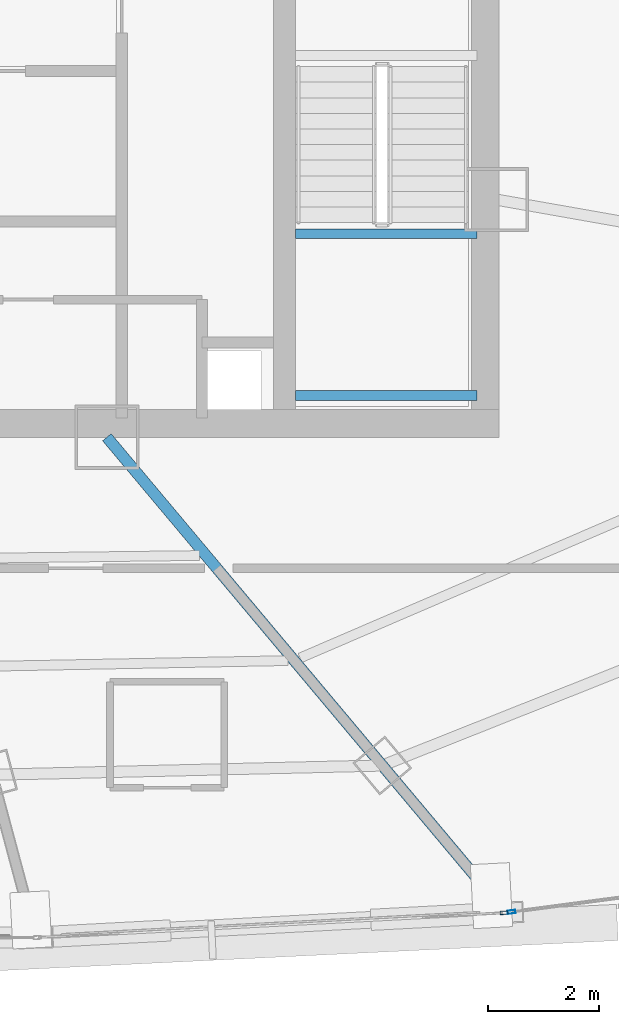
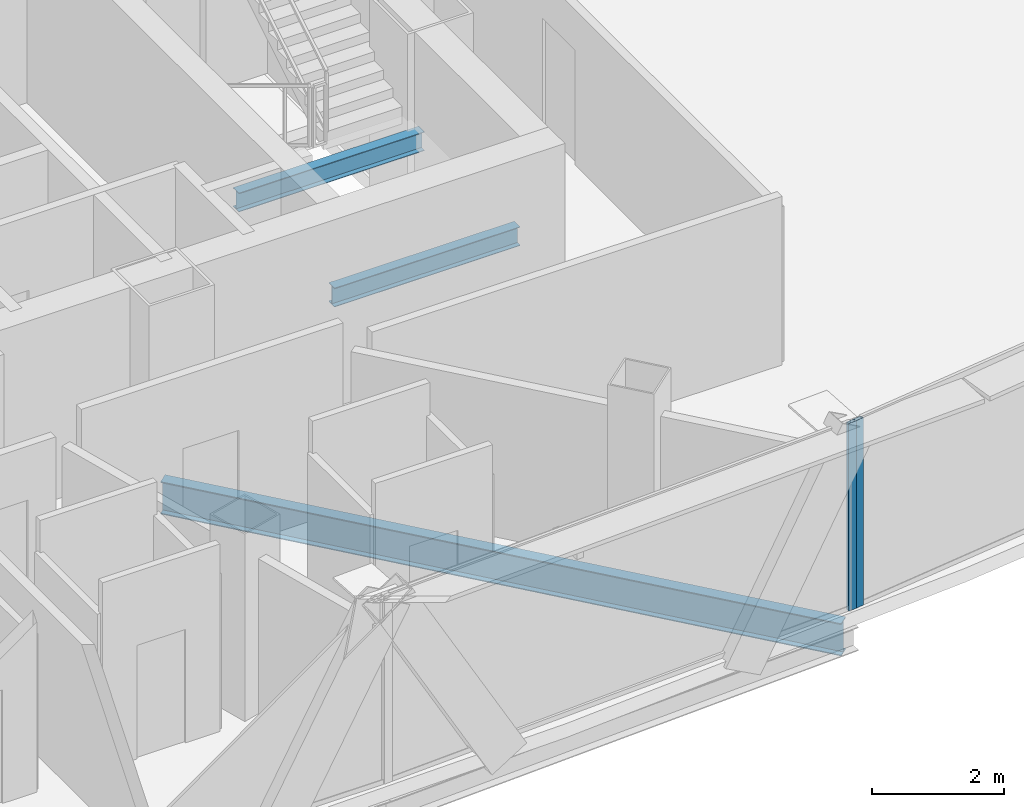
# One storey, part 13 of 39: 3 beams, 2 members, 2 elements without a shape of their own.
"""IFC4 building model written with IfcOpenShell, lengths in metres."""

import ifcopenshell
import ifcopenshell.guid

model = None  # the IFC model being written
_history = None  # IfcOwnerHistory: only IFC2X3 demands one
_inside = {}  # id of a spatial element -> (the spatial element, [elements in it])
_under = {}  # id of a project, library or spatial element -> (it, [spatial elements below it])
_declared = {}  # id of a project -> (the project, [libraries it declares])
_typed = {}  # id of a type object -> (the type object, [elements of that type])
_made_of = {}  # id of a material, layer set ... -> (it, [elements and type objects made of it])


def new_model(schema):
    """Start an empty IFC model of exactly this schema.

    Asked for "IFC4X3", IfcOpenShell would pick the latest addendum, in which some entities
    have other attributes; the version numbers below select the first issue.
    IFC2X3 requires an IfcOwnerHistory on every rooted entity: one is made here for all.
    """
    global model, _history
    if schema == "IFC4X3":
        model = ifcopenshell.file(schema_version=(4, 3, 0, 0))
    else:
        model = ifcopenshell.file(schema=schema)
    _inside.clear()
    _under.clear()
    _declared.clear()
    _typed.clear()
    _made_of.clear()
    _history = None
    if model.schema == "IFC2X3":
        org = make("IfcOrganization", Name="unknown")
        user = make(
            "IfcPersonAndOrganization",
            ThePerson=make("IfcPerson", FamilyName="unknown"),
            TheOrganization=org,
        )
        app = make(
            "IfcApplication",
            ApplicationDeveloper=org,
            Version="unknown",
            ApplicationFullName="unknown",
            ApplicationIdentifier="unknown",
        )
        _history = make(
            "IfcOwnerHistory",
            OwningUser=user,
            OwningApplication=app,
            ChangeAction="ADDED",
            CreationDate=0,
        )
    return model


def make(cls, **values):
    """One entity of the class cls with the attributes given. An attribute that is None is left unset."""
    return model.create_entity(
        cls, **{name: value for name, value in values.items() if value is not None}
    )


def rooted(cls, **values):
    """An entity with a GlobalId (a new one), such as an element, a storey or a relation."""
    return make(cls, GlobalId=ifcopenshell.guid.new(), OwnerHistory=_history, **values)


def si_unit(unit_type, name, prefix=None):
    """IfcSIUnit, for example si_unit("LENGTHUNIT", "METRE", prefix="MILLI")."""
    return make("IfcSIUnit", UnitType=unit_type, Prefix=prefix, Name=name)


def assignment(units):
    """IfcUnitAssignment: the units of a project."""
    return None if units is None else make("IfcUnitAssignment", Units=units)


def point(xyz):
    """IfcCartesianPoint."""
    return None if xyz is None else make("IfcCartesianPoint", Coordinates=xyz)


def direction(xyz):
    """IfcDirection."""
    return None if xyz is None else make("IfcDirection", DirectionRatios=xyz)


def frame(location, z_axis=None, x_axis=None):
    """IfcAxis2Placement3D, a coordinate frame: its origin and axes. An axis left out is left unset."""
    return make(
        "IfcAxis2Placement3D",
        Location=point(location),
        Axis=direction(z_axis),
        RefDirection=direction(x_axis),
    )


def frame_2d(location, x_axis=None):
    """IfcAxis2Placement2D, a coordinate frame in the plane: its origin and x axis."""
    return make(
        "IfcAxis2Placement2D", Location=point(location), RefDirection=direction(x_axis)
    )


def origin():
    """The frame at (0, 0, 0) with its axes left unset."""
    return frame((0.0, 0.0, 0.0))


def origin_2d():
    """The frame at (0, 0) in the plane with its x axis left unset."""
    return frame_2d((0.0, 0.0))


def place(relative_to, where):
    """IfcLocalPlacement: puts the frame where relative to a parent placement (None: the world)."""
    return make(
        "IfcLocalPlacement", PlacementRelTo=relative_to, RelativePlacement=where
    )


def context(
    kind, dimensions, precision=None, world=None, true_north=None, identifier=None
):
    """IfcGeometricRepresentationContext, for example the 3D "Model" context."""
    return make(
        "IfcGeometricRepresentationContext",
        ContextIdentifier=identifier,
        ContextType=kind,
        CoordinateSpaceDimension=dimensions,
        Precision=precision,
        WorldCoordinateSystem=world,
        TrueNorth=true_north,
    )


def subcontext(parent, identifier, kind, view, scale=None):
    """IfcGeometricRepresentationSubContext, for example "Body" below "Model"."""
    return make(
        "IfcGeometricRepresentationSubContext",
        ContextIdentifier=identifier,
        ContextType=kind,
        ParentContext=parent,
        TargetScale=scale,
        TargetView=view,
    )


def project(units=None, contexts=None):
    """IfcProject with its units and contexts."""
    return rooted(
        "IfcProject",
        Name="project",
        RepresentationContexts=contexts,
        UnitsInContext=assignment(units),
    )


def spatial(cls, under=None, at=None, **own):
    """A site, building, storey or space (cls), placed at a placement, below another one or the project."""
    s = rooted(cls, ObjectPlacement=at, **own)
    if under is not None:
        _under.setdefault(under.id(), (under, []))[1].append(s)
    return s


def profile(cls, at=None, kind="AREA", **sizes):
    """A parametric profile (cls). Its sizes go by their IFC names, for example OverallWidth=200.0."""
    return make(cls, ProfileType=kind, Position=at, **sizes)


def hollow_rectangle(**sizes):
    """IfcRectangleHollowProfileDef."""
    return profile("IfcRectangleHollowProfileDef", **sizes)


def i_section(**sizes):
    """IfcIShapeProfileDef."""
    return profile("IfcIShapeProfileDef", **sizes)


def extrude(swept, where, along, depth):
    """IfcExtrudedAreaSolid: the profile swept, set in the frame where, extruded along a direction by depth."""
    return make(
        "IfcExtrudedAreaSolid",
        SweptArea=swept,
        Position=where,
        ExtrudedDirection=direction(along),
        Depth=depth,
    )


def shape(context_of_items, identifier, shape_type, items):
    """IfcShapeRepresentation: the items that make up one representation, for example the "Body"."""
    return make(
        "IfcShapeRepresentation",
        ContextOfItems=context_of_items,
        RepresentationIdentifier=identifier,
        RepresentationType=shape_type,
        Items=items,
    )


def source(mapping_origin, context_of_items, identifier, shape_type, items):
    """IfcRepresentationMap: a shape defined once, which mapped items show again and again."""
    return make(
        "IfcRepresentationMap",
        MappingOrigin=mapping_origin,
        MappedRepresentation=shape(context_of_items, identifier, shape_type, items),
    )


def transform(
    local_origin,
    x_axis=None,
    y_axis=None,
    z_axis=None,
    scale=None,
    scale2=None,
    scale3=None,
    uniform=True,
):
    """IfcCartesianTransformationOperator3D, or its non-uniform kind. x_axis, y_axis, z_axis: its Axis1, 2, 3."""
    if uniform:
        return make(
            "IfcCartesianTransformationOperator3D",
            Axis1=direction(x_axis),
            Axis2=direction(y_axis),
            LocalOrigin=point(local_origin),
            Scale=scale,
            Axis3=direction(z_axis),
        )
    return make(
        "IfcCartesianTransformationOperator3DnonUniform",
        Axis1=direction(x_axis),
        Axis2=direction(y_axis),
        LocalOrigin=point(local_origin),
        Scale=scale,
        Axis3=direction(z_axis),
        Scale2=scale2,
        Scale3=scale3,
    )


def mapped(mapping_source, mapping_target):
    """IfcMappedItem: shows the shape of a source again, moved by a transform."""
    return make(
        "IfcMappedItem", MappingSource=mapping_source, MappingTarget=mapping_target
    )


def material(Name=None, Category=None):
    """IfcMaterial."""
    return make("IfcMaterial", Name=Name, Category=Category)


def layer(
    of_material, thickness, ventilated=None, Name=None, Category=None, Priority=None
):
    """IfcMaterialLayer: one layer of a wall or slab, of a material (None: an air gap)."""
    return make(
        "IfcMaterialLayer",
        Material=of_material,
        LayerThickness=thickness,
        IsVentilated=ventilated,
        Name=Name,
        Category=Category,
        Priority=Priority,
    )


def layer_set(layers, Name=None):
    """IfcMaterialLayerSet."""
    return make("IfcMaterialLayerSet", MaterialLayers=layers, LayerSetName=Name)


def material_profile(
    of_material, cross_section, Name=None, Category=None, Priority=None
):
    """IfcMaterialProfile: a cross section and its material."""
    return make(
        "IfcMaterialProfile",
        Name=Name,
        Material=of_material,
        Profile=cross_section,
        Priority=Priority,
        Category=Category,
    )


def profile_set(profiles, Name=None, composite=None):
    """IfcMaterialProfileSet."""
    return make(
        "IfcMaterialProfileSet",
        Name=Name,
        MaterialProfiles=profiles,
        CompositeProfile=composite,
    )


def made_of(thing, what):
    """Note that an element or type object is made of a material, layer set ...; save() writes the relation."""
    if what is not None:
        _made_of.setdefault(what.id(), (what, []))[1].append(thing)
    return thing


def type_object(cls, material=None, **own):
    """A type object (cls), such as IfcWallType, which elements share."""
    return made_of(rooted(cls, **own), material)


def element(
    cls,
    number,
    at=None,
    inside=None,
    cuts=None,
    type_object=None,
    material=None,
    context=None,
    identifier="Body",
    shape_type=None,
    held_by="IfcProductDefinitionShape",
    body=None,
    shapes=None,
    **own,
):
    """One element of the class cls, such as IfcWall. Its Tag is "e" and its number.

    at: its placement. inside: the storey or other place that contains it. cuts: it is an
    opening in that element (IfcRelVoidsElement). A single representation is given by context,
    identifier, shape_type and body (its items); several are given by shapes. held_by: the class
    of the entity that holds the representations. save() writes the other relations.
    """
    e = rooted(cls, Tag="e%d" % number, ObjectPlacement=at, **own)
    if body is not None:
        shapes = [shape(context, identifier, shape_type, body)]
    if shapes is not None:
        e.Representation = make(held_by, Representations=shapes)
    if inside is not None:
        _inside.setdefault(inside.id(), (inside, []))[1].append(e)
    if cuts is not None:
        rooted(
            "IfcRelVoidsElement", RelatingBuildingElement=cuts, RelatedOpeningElement=e
        )
    if type_object is not None:
        _typed.setdefault(type_object.id(), (type_object, []))[1].append(e)
    return made_of(e, material)


def aggregate(whole, parts):
    """IfcRelAggregates: a whole, such as a stair, and the parts it consists of."""
    return rooted("IfcRelAggregates", RelatingObject=whole, RelatedObjects=parts)


def save(model, path):
    """Write the relations noted so far, then the file.

    IfcRelAggregates (storeys below a building ...), IfcRelContainedInSpatialStructure (elements
    in a storey), IfcRelDefinesByType, IfcRelAssociatesMaterial and IfcRelDeclares: one each for
    every whole, place, type object, material and project.
    """
    for whole, parts in _under.values():
        aggregate(whole, parts)
    for where, things in _inside.values():
        rooted(
            "IfcRelContainedInSpatialStructure",
            RelatedElements=things,
            RelatingStructure=where,
        )
    for kind, things in _typed.values():
        rooted("IfcRelDefinesByType", RelatedObjects=things, RelatingType=kind)
    for what, things in _made_of.values():
        rooted("IfcRelAssociatesMaterial", RelatedObjects=things, RelatingMaterial=what)
    for by, libraries in _declared.values():
        rooted("IfcRelDeclares", RelatingContext=by, RelatedDefinitions=libraries)
    model.write(path)


model = new_model("IFC4")

# Units and contexts
model_context = context("Model", 3, precision=1e-05, world=origin(), true_north=direction((0.0, 1.0)))
body_context = subcontext(model_context, "Body", "Model", "MODEL_VIEW")
ifc_project = project(units=[si_unit("LENGTHUNIT", "METRE"), si_unit("AREAUNIT", "SQUARE_METRE"), si_unit("VOLUMEUNIT", "CUBIC_METRE"), si_unit("PLANEANGLEUNIT", "RADIAN"), si_unit("MASSUNIT", "GRAM", prefix="KILO"), si_unit("THERMODYNAMICTEMPERATUREUNIT", "KELVIN"), si_unit("POWERUNIT", "WATT")], contexts=[model_context])

# Site, building, storey
site_placement = place(None, origin())
site = spatial("IfcSite", under=ifc_project, at=site_placement, CompositionType="ELEMENT")
building_placement = place(site_placement, origin())
building = spatial("IfcBuilding", under=site, at=building_placement, Name="Yunzhuo Pagoda Commons", CompositionType="ELEMENT")
storey_placement = place(building_placement, frame((0.0, 0.0, 285.02001953125)))
storey = spatial("IfcBuildingStorey", under=building, at=storey_placement, Name="L71", CompositionType="ELEMENT", Elevation=285.02001953125)

# Beams
ifc_material_1 = material(Name="Structural steel Q355B", Category="steel")
ifc_material_profile_1 = material_profile(ifc_material_1, i_section(OverallWidth=0.175048828125, OverallDepth=0.35009765625, WebThickness=0.007080078125, FlangeThickness=0.010986328125, at=origin_2d()), Name="Structural steel Q355B")
ifc_profile_set_1 = profile_set([ifc_material_profile_1], Name="Structural steel Q355B")
beam_type_1 = type_object("IfcBeamType", Name="B-JS2 Joist HN 350x175x7x11", PredefinedType="JOIST", material=ifc_profile_set_1)
shared_shape_1 = source(origin(), body_context, "Body", "SweptSolid", [
    extrude(i_section(OverallWidth=0.175048828125, OverallDepth=0.35009765625, WebThickness=0.007080078125, FlangeThickness=0.010986328125, at=origin_2d()), origin(), (0.0, 0.0, 1.0), 3.25),
])
for number, where, z_axis, x_axis, name in (
    (1, (56.800048828125, 28.0, 1.489990234375), (1.0, 0.0, 0.0), (0.0, 1.0, 0.0), "L71 ST2 landing support beam 77A"),
    (2, (56.800048828125, 30.89990234375, 1.489990234375), (1.0, 0.0, 0.0), (0.0, 1.0, 0.0), "L71 ST2 landing support beam 77B"),
):
    element("IfcBeam", number, at=place(storey_placement, frame(where, z_axis=z_axis, x_axis=x_axis)), inside=storey, type_object=beam_type_1, Name=name, PredefinedType="JOIST", context=body_context, shape_type="MappedRepresentation", body=[
        mapped(shared_shape_1, transform((0.0, 0.0, 0.0), scale=1.0)),
    ])
ifc_material_profile_2 = material_profile(ifc_material_1, i_section(OverallWidth=0.199951171875, OverallDepth=0.60009765625, WebThickness=0.010986328125, FlangeThickness=0.01708984375, at=origin_2d()), Name="Structural steel Q355B")
ifc_profile_set_2 = profile_set([ifc_material_profile_2], Name="Structural steel Q355B")
beam_type_2 = type_object("IfcBeamType", Name="B-RG3 Beam HN 600x200x11x17", PredefinedType="BEAM", material=ifc_profile_set_2)
shared_shape_2 = source(origin(), body_context, "Body", "SweptSolid", [
    extrude(i_section(OverallWidth=0.199951171875, OverallDepth=0.60009765625, WebThickness=0.010986328125, FlangeThickness=0.01708984375, at=origin_2d()), origin(), (0.0, 0.0, 1.0), 10.978515625),
])
beam_placement = place(storey_placement, frame((60.468994140625, 18.840087890625, -0.56005859375), z_axis=(-0.642794591419, 0.766038584695, 0.0), x_axis=(-0.766038584695, -0.642794591419, 0.0)))
element("IfcBeam", 3, at=beam_placement, inside=storey, type_object=beam_type_2, Name="L71 radial floor girder F1C4", PredefinedType="BEAM", context=body_context, shape_type="MappedRepresentation", body=[
    mapped(shared_shape_2, transform((0.0, 0.0, 0.0), scale=1.0)),
])

# Curtain wall, member
ifc_material_2 = material(Name="Anodized aluminium 6063-T6", Category="aluminium")
ifc_layer = layer(ifc_material_2, 0.139892578125)
ifc_layer_set = layer_set([ifc_layer], Name="Anodized aluminium 6063-T6")
curtain_wall_type = type_object("IfcCurtainWallType", Name="CW-HI High-Zone Ribbon Curtain Wall", PredefinedType="NOTDEFINED", material=ifc_layer_set)
curtain_wall_1_placement = place(storey_placement, origin())
curtain_wall_1 = element("IfcCurtainWall", 4, at=curtain_wall_1_placement, inside=storey, type_object=curtain_wall_type, Name="L71 curtain wall CW-L71-F1B4", PredefinedType="NOTDEFINED")
ifc_material_profile_3 = material_profile(ifc_material_2, hollow_rectangle(XDim=0.06005859375, YDim=0.139892578125, WallThickness=0.00341796875, at=origin_2d()), Name="Anodized aluminium 6063-T6")
ifc_profile_set_3 = profile_set([ifc_material_profile_3], Name="Anodized aluminium 6063-T6")
member_type = type_object("IfcMemberType", Name="CW-HI-M Mullion RHS 140x60x3.5", PredefinedType="MULLION", material=ifc_profile_set_3)
shared_shape_3 = source(origin(), body_context, "Body", "SweptSolid", [
    extrude(hollow_rectangle(XDim=0.06005859375, YDim=0.139892578125, WallThickness=0.00341796875, at=origin_2d()), origin(), (0.0, 0.0, 1.0), 3.4697265625),
])
member_1_placement = place(storey_placement, frame((60.53857421875, 18.7197265625, 0.000244140625), z_axis=(0.0, 0.0, 1.0), x_axis=(-0.052821657014, 0.998603961814, 0.0)))
member_1 = element("IfcMember", 5, at=member_1_placement, type_object=member_type, Name="CW mullion 2", PredefinedType="MULLION", context=body_context, shape_type="MappedRepresentation", body=[
    mapped(shared_shape_3, transform((0.0, 0.0, 0.0), scale=1.0)),
])
aggregate(curtain_wall_1, [member_1])

curtain_wall_2_placement = place(storey_placement, origin())
curtain_wall_2 = element("IfcCurtainWall", 6, at=curtain_wall_2_placement, inside=storey, type_object=curtain_wall_type, Name="L71 curtain wall CW-L71-F1B5", PredefinedType="NOTDEFINED")
member_2_placement = place(storey_placement, frame((60.6728515625, 18.735107421875, 0.000244140625), z_axis=(0.0, 0.0, 1.0), x_axis=(-0.131311416098, 0.991341168318, 0.0)))
member_2 = element("IfcMember", 7, at=member_2_placement, type_object=member_type, Name="CW mullion 1", PredefinedType="MULLION", context=body_context, shape_type="MappedRepresentation", body=[
    mapped(shared_shape_3, transform((0.0, 0.0, 0.0), scale=1.0)),
])
aggregate(curtain_wall_2, [member_2])

save(model, "model.ifc")
